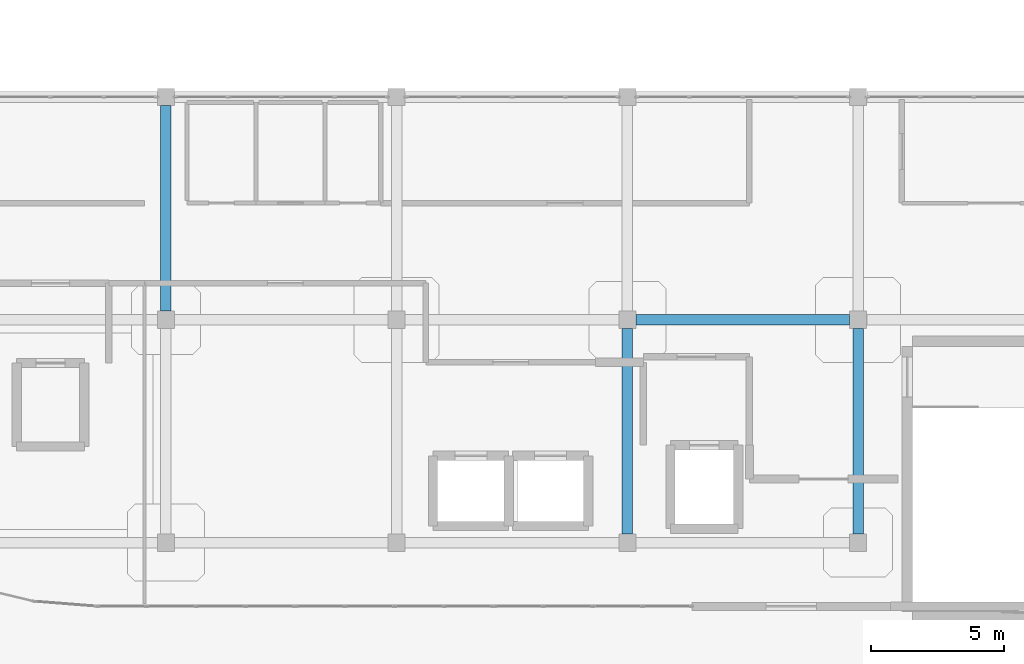
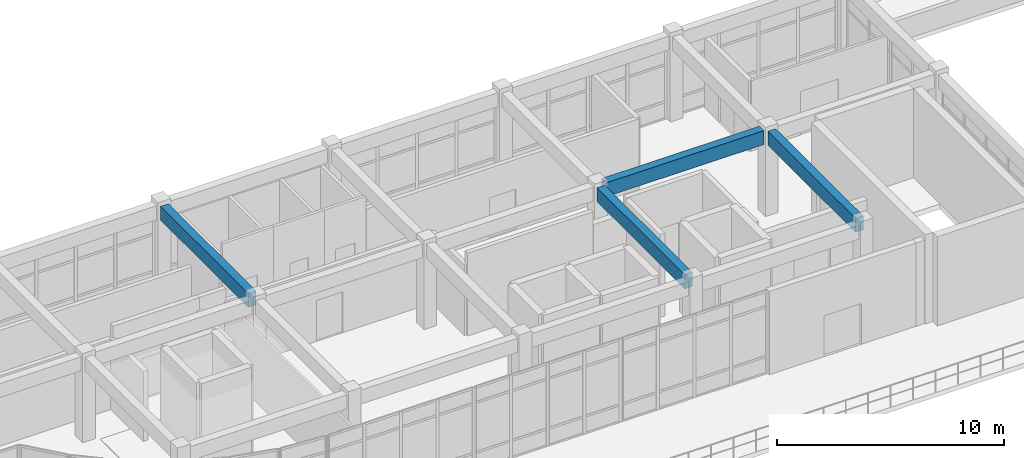
# One storey, part 16 of 41: 4 beams.
"""IFC4 building model written with IfcOpenShell, lengths in metres."""

from ifc_helpers import new_model, si_unit, derived_unit, direction, frame, origin, origin_2d, place, context, subcontext, project, spatial, rectangle, extrude, material, material_profile, profile_set, type_object, element, save


model = new_model("IFC4")

# Units and contexts
model_context = context("Model", 3, precision=1e-05, world=origin(), true_north=direction((0.0, 1.0)))
body_context = subcontext(model_context, "Body", "Model", "MODEL_VIEW")
ifc_project = project(units=[si_unit("LENGTHUNIT", "METRE"), si_unit("AREAUNIT", "SQUARE_METRE"), si_unit("VOLUMEUNIT", "CUBIC_METRE"), si_unit("PLANEANGLEUNIT", "RADIAN"), si_unit("MASSUNIT", "GRAM", prefix="KILO"), derived_unit("THERMALTRANSMITTANCEUNIT", [(si_unit("MASSUNIT", "GRAM", prefix="KILO"), 1), (si_unit("TIMEUNIT", "SECOND"), -3), (si_unit("THERMODYNAMICTEMPERATUREUNIT", "KELVIN"), -1)])], contexts=[model_context])

# Site, building, storey
site_placement = place(None, origin())
site = spatial("IfcSite", under=ifc_project, at=site_placement, CompositionType="ELEMENT")
building_placement = place(site_placement, origin())
building = spatial("IfcBuilding", under=site, at=building_placement, Name="Qinzheling Arcade Emporium", CompositionType="ELEMENT")
storey_placement = place(building_placement, frame((0.0, 0.0, 36.300048828125)))
storey = spatial("IfcBuildingStorey", under=building, at=storey_placement, Name="L08", CompositionType="ELEMENT", Elevation=36.300048828125)

# Beams
ifc_material = material(Name="Concrete C40", Category="concrete")
ifc_material_profile = material_profile(ifc_material, rectangle(XDim=0.39990234375, YDim=0.75, at=origin_2d()), Name="RC 400x750", Category="concrete")
ifc_profile_set = profile_set([ifc_material_profile], Name="Concrete C40")
beam_type = type_object("IfcBeamType", Name="RC Interior Tie Beam 400x750 C40", PredefinedType="BEAM", material=ifc_profile_set)
beam_placement = place(storey_placement, frame((52.52490234375, 33.60009765625, 4.18505859375), z_axis=(1.0, 0.0, 0.0), x_axis=(0.0, 1.0, 0.0)))
element("IfcBeam", 1, at=beam_placement, inside=storey, type_object=beam_type, Name="Beam BM-L08-X-E-7", PredefinedType="BEAM", context=body_context, shape_type="SweptSolid", body=[
    extrude(rectangle(XDim=0.39990234375, YDim=0.75, at=origin_2d()), origin(), (0.0, 0.0, 1.0), 8.050048828125),
])
for number, where, z_axis, x_axis, name in (
    (2, (34.800048828125, 33.925048828125, 4.18505859375), (0.0, 1.0, 0.0), (-1.0, 0.0, 0.0), "Beam BM-L08-Y-5-E"),
    (3, (52.199951171875, 25.52490234375, 4.18505859375), (0.0, 1.0, 0.0), (-1.0, 0.0, 0.0), "Beam BM-L08-Y-7-D"),
    (4, (60.89990234375, 25.52490234375, 4.18505859375), (0.0, 1.0, 0.0), (-1.0, 0.0, 0.0), "Beam BM-L08-Y-8-D"),
):
    element("IfcBeam", number, at=place(storey_placement, frame(where, z_axis=z_axis, x_axis=x_axis)), inside=storey, type_object=beam_type, Name=name, PredefinedType="BEAM", context=body_context, shape_type="SweptSolid", body=[
        extrude(rectangle(XDim=0.39990234375, YDim=0.75, at=origin_2d()), origin(), (0.0, 0.0, 1.0), 7.75),
    ])

save(model, "model.ifc")
